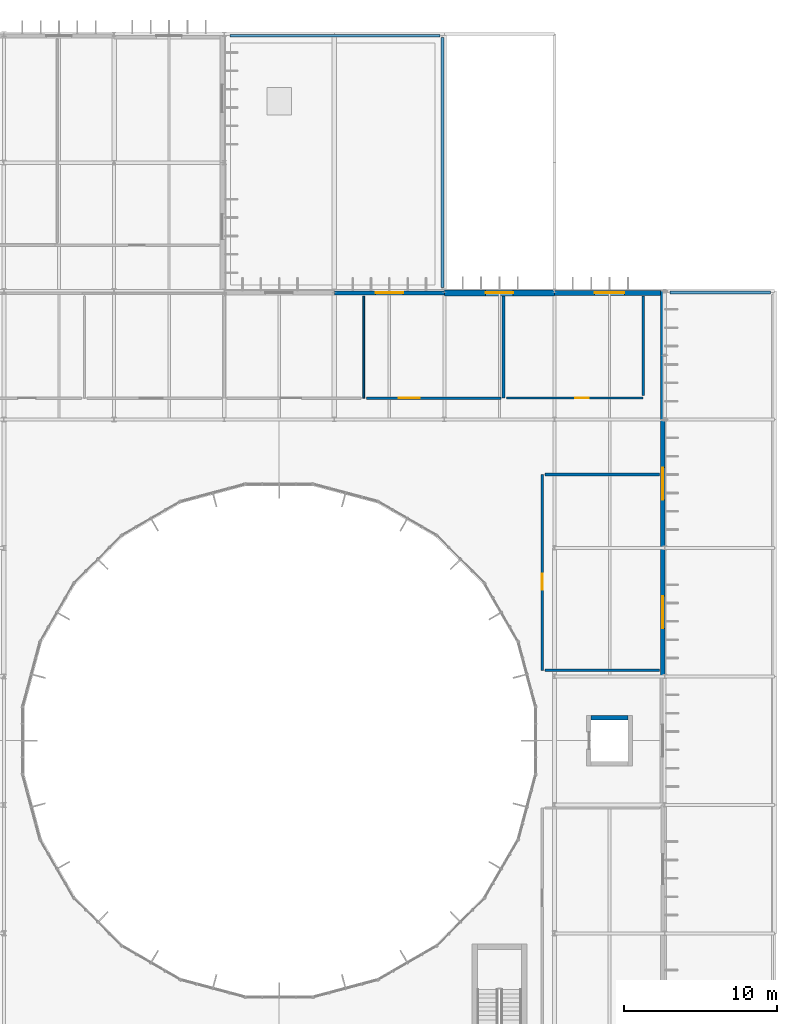
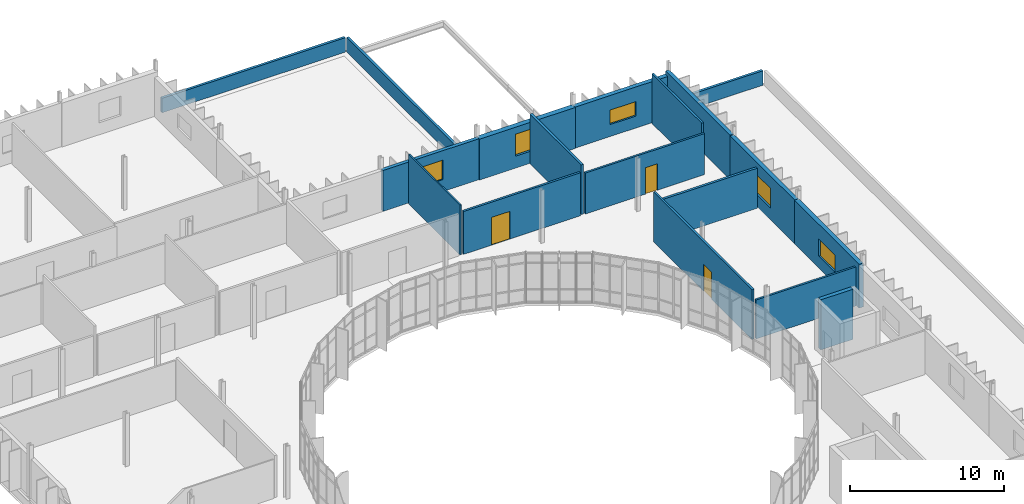
# One storey, part 84 of 99: 18 walls, 5 windows, 3 doors, 8 openings.
"""IFC4 building model written with IfcOpenShell, lengths in metres."""

from ifc_helpers import new_model, si_unit, direction, frame, frame_2d, origin, place, context, subcontext, project, spatial, rectangle, extrude, material, layer, layer_set, type_object, element, fill, save


model = new_model("IFC4")

# Units and contexts
model_context = context("Model", 3, precision=1e-05, world=origin(), true_north=direction((0.0, 1.0)))
body_context = subcontext(model_context, "Body", "Model", "MODEL_VIEW")
ifc_project = project(units=[si_unit("LENGTHUNIT", "METRE"), si_unit("AREAUNIT", "SQUARE_METRE"), si_unit("VOLUMEUNIT", "CUBIC_METRE"), si_unit("PLANEANGLEUNIT", "RADIAN"), si_unit("MASSUNIT", "GRAM", prefix="KILO")], contexts=[model_context])

# Site, building, storey
site_placement = place(None, origin())
site = spatial("IfcSite", under=ifc_project, at=site_placement, CompositionType="ELEMENT")
building_placement = place(site_placement, origin())
building = spatial("IfcBuilding", under=site, at=building_placement, Name="Qelthora Terrace Specialist Clinic", CompositionType="ELEMENT")
storey_placement = place(building_placement, frame((0.0, 0.0, 9.0)))
storey = spatial("IfcBuildingStorey", under=building, at=storey_placement, Name="L02", CompositionType="ELEMENT", Elevation=9.0)

# Wall
ifc_material_1 = material(Name="Concrete C40/50", Category="concrete")
ifc_layer_1 = layer(ifc_material_1, 0.300048828125)
ifc_layer_set_1 = layer_set([ifc_layer_1], Name="Concrete C40/50")
wall_type_1 = type_object("IfcWallType", Name="WAL-CORE-300-C40", PredefinedType="SHEAR", material=ifc_layer_set_1)
wall_1_placement = place(storey_placement, frame((146.39990234375, 64.5, 0.0), z_axis=(0.0, 0.0, 1.0), x_axis=(1.0, 0.0, 0.0)))
element("IfcWall", 1, at=wall_1_placement, inside=storey, type_object=wall_type_1, Name="Lift PL-02 L02 north shaft wall", PredefinedType="SHEAR", context=body_context, shape_type="SweptSolid", body=[
    extrude(rectangle(XDim=2.400146484375, YDim=0.300048828125, at=frame_2d((1.2001953125, 0.0))), origin(), (0.0, 0.0, 1.0), 3.97509765625),
])

# Wall, opening, window
ifc_material_2 = material(Name="Precast concrete C40/50", Category="concrete")
ifc_layer_2 = layer(ifc_material_2, 0.260009765625)
ifc_layer_set_2 = layer_set([ifc_layer_2], Name="Precast concrete C40/50")
wall_type_2 = type_object("IfcWallType", Name="WAL-EXT-260-PC40", PredefinedType="SOLIDWALL", material=ifc_layer_set_2)
wall_2_placement = place(storey_placement, frame((129.60009765625, 92.280029296875, 0.0), z_axis=(0.0, 0.0, 1.0), x_axis=(1.0, 0.0, 0.0)))
wall_2 = element("IfcWall", 2, at=wall_2_placement, inside=storey, type_object=wall_type_2, Name="L02 external precast wall 249", PredefinedType="SOLIDWALL", context=body_context, shape_type="SweptSolid", body=[
    extrude(rectangle(XDim=7.199951171875, YDim=0.260009765625, at=frame_2d((3.60009765625, 0.0))), origin(), (0.0, 0.0, 1.0), 3.2490234375),
])
opening_1_placement = place(wall_2_placement, frame((2.699951171875, 0.0, 0.949951171875)))
opening_1 = element("IfcOpeningElement", 3, at=opening_1_placement, cuts=wall_2, Name="Opening WN-L02-215", PredefinedType="OPENING", context=body_context, shape_type="SweptSolid", body=[
    extrude(rectangle(XDim=1.800048828125, YDim=1.550048828125, at=frame_2d((0.89990234375, 0.77490234375))), frame((0.0, 0.139892578125, 0.0), z_axis=(0.0, -1.0, 0.0), x_axis=(1.0, 0.0, 0.0)), (0.0, 0.0, 1.0), 0.280029296875),
])
ifc_material_3 = material(Name="Low-E triple-silver insulating glass", Category="glass")
window_type_1 = type_object("IfcWindowType", Name="WIN-1800X1550", PartitioningType="DOUBLE_PANEL_VERTICAL", PredefinedType="WINDOW", material=ifc_material_3)
window_1_placement = place(opening_1_placement, origin())
window_1 = element("IfcWindow", 4, at=window_1_placement, inside=storey, type_object=window_type_1, Name="Clinical window WN-L02-215", OverallHeight=1.550048828125, OverallWidth=1.800048828125, PartitioningType="SINGLE_PANEL", PredefinedType="WINDOW", context=body_context, shape_type="SweptSolid", body=[
    extrude(rectangle(XDim=1.800048828125, YDim=1.550048828125, at=frame_2d((0.89990234375, 0.77490234375))), frame((0.0, 0.030029296875, 0.0), z_axis=(0.0, -1.0, 0.0), x_axis=(1.0, 0.0, 0.0)), (0.0, 0.0, 1.0), 0.06005859375),
])
fill(opening_1, window_1)

# Wall
ifc_layer_3 = layer(ifc_material_2, 0.280029296875)
ifc_layer_set_3 = layer_set([ifc_layer_3], Name="Precast concrete C40/50")
wall_type_3 = type_object("IfcWallType", Name="WAL-EXT-280-PC40", PredefinedType="SOLIDWALL", material=ifc_layer_set_3)
wall_3_placement = place(storey_placement, frame((151.080078125, 84.0, 0.0), z_axis=(0.0, 0.0, 1.0), x_axis=(0.0, 1.0, 0.0)))
element("IfcWall", 5, at=wall_3_placement, inside=storey, type_object=wall_type_3, Name="L02 external precast wall 258", PredefinedType="SOLIDWALL", context=body_context, shape_type="SweptSolid", body=[
    extrude(rectangle(XDim=8.39990234375, YDim=0.280029296875, at=frame_2d((4.199951171875, 0.0))), origin(), (0.0, 0.0, 1.0), 3.529052734375),
])

# Wall, opening, window
ifc_layer_4 = layer(ifc_material_2, 0.300048828125)
ifc_layer_set_4 = layer_set([ifc_layer_4], Name="Precast concrete C40/50")
wall_type_4 = type_object("IfcWallType", Name="WAL-EXT-300-PC40", PredefinedType="SOLIDWALL", material=ifc_layer_set_4)
wall_4_placement = place(storey_placement, frame((151.080078125, 75.60009765625, 0.0), z_axis=(0.0, 0.0, 1.0), x_axis=(0.0, 1.0, 0.0)))
wall_4 = element("IfcWall", 6, at=wall_4_placement, inside=storey, type_object=wall_type_4, Name="L02 external precast wall 257", PredefinedType="SOLIDWALL", context=body_context, shape_type="SweptSolid", body=[
    extrude(rectangle(XDim=8.39990234375, YDim=0.300048828125, at=frame_2d((4.199951171875, 0.0))), origin(), (0.0, 0.0, 1.0), 3.48193359375),
])
opening_2_placement = place(wall_4_placement, frame((3.14990234375, 0.0, 0.949951171875)))
opening_2 = element("IfcOpeningElement", 7, at=opening_2_placement, cuts=wall_4, Name="Opening WN-L02-223", PredefinedType="OPENING", context=body_context, shape_type="SweptSolid", body=[
    extrude(rectangle(XDim=2.10009765625, YDim=1.550048828125, at=frame_2d((1.050048828125, 0.77490234375))), frame((0.0, 0.159912109375, 0.0), z_axis=(0.0, -1.0, 0.0), x_axis=(1.0, 0.0, 0.0)), (0.0, 0.0, 1.0), 0.320068359375),
])
window_type_2 = type_object("IfcWindowType", Name="WIN-2100X1550", PartitioningType="DOUBLE_PANEL_VERTICAL", PredefinedType="WINDOW", material=ifc_material_3)
window_2_placement = place(opening_2_placement, origin())
window_2 = element("IfcWindow", 8, at=window_2_placement, inside=storey, type_object=window_type_2, Name="Clinical window WN-L02-223", OverallHeight=1.550048828125, OverallWidth=2.10009765625, PartitioningType="SINGLE_PANEL", PredefinedType="WINDOW", context=body_context, shape_type="SweptSolid", body=[
    extrude(rectangle(XDim=2.10009765625, YDim=1.550048828125, at=frame_2d((1.050048828125, 0.77490234375))), frame((0.0, 0.030029296875, 0.0), z_axis=(0.0, -1.0, 0.0), x_axis=(1.0, 0.0, 0.0)), (0.0, 0.0, 1.0), 0.06005859375),
])
fill(opening_2, window_2)

ifc_layer_5 = layer(ifc_material_2, 0.320068359375)
ifc_layer_set_5 = layer_set([ifc_layer_5], Name="Precast concrete C40/50")
wall_type_5 = type_object("IfcWallType", Name="WAL-EXT-320-PC40", PredefinedType="SOLIDWALL", material=ifc_layer_set_5)
wall_5_placement = place(storey_placement, frame((144.0, 92.280029296875, 0.0), z_axis=(0.0, 0.0, 1.0), x_axis=(1.0, 0.0, 0.0)))
wall_5 = element("IfcWall", 9, at=wall_5_placement, inside=storey, type_object=wall_type_5, Name="L02 external precast wall 251", PredefinedType="SOLIDWALL", context=body_context, shape_type="SweptSolid", body=[
    extrude(rectangle(XDim=7.199951171875, YDim=0.320068359375, at=frame_2d((3.60009765625, 0.0))), origin(), (0.0, 0.0, 1.0), 3.25390625),
])
opening_3_placement = place(wall_5_placement, frame((2.625, 0.0, 0.949951171875)))
opening_3 = element("IfcOpeningElement", 10, at=opening_3_placement, cuts=wall_5, Name="Opening WN-L02-217", PredefinedType="OPENING", context=body_context, shape_type="SweptSolid", body=[
    extrude(rectangle(XDim=1.949951171875, YDim=1.14990234375, at=frame_2d((0.97509765625, 0.574951171875))), frame((0.0, 0.169921875, 0.0), z_axis=(0.0, -1.0, 0.0), x_axis=(1.0, 0.0, 0.0)), (0.0, 0.0, 1.0), 0.340087890625),
])
window_type_3 = type_object("IfcWindowType", Name="WIN-1950X1150", PartitioningType="DOUBLE_PANEL_VERTICAL", PredefinedType="WINDOW", material=ifc_material_3)
window_3_placement = place(opening_3_placement, origin())
window_3 = element("IfcWindow", 11, at=window_3_placement, inside=storey, type_object=window_type_3, Name="Clinical window WN-L02-217", OverallHeight=1.14990234375, OverallWidth=1.949951171875, PartitioningType="SINGLE_PANEL", PredefinedType="WINDOW", context=body_context, shape_type="SweptSolid", body=[
    extrude(rectangle(XDim=1.949951171875, YDim=1.14990234375, at=frame_2d((0.97509765625, 0.574951171875))), frame((0.0, 0.030029296875, 0.0), z_axis=(0.0, -1.0, 0.0), x_axis=(1.0, 0.0, 0.0)), (0.0, 0.0, 1.0), 0.06005859375),
])
fill(opening_3, window_3)

wall_6_placement = place(storey_placement, frame((151.080078125, 67.199951171875, 0.0), z_axis=(0.0, 0.0, 1.0), x_axis=(0.0, 1.0, 0.0)))
wall_6 = element("IfcWall", 12, at=wall_6_placement, inside=storey, type_object=wall_type_5, Name="L02 external precast wall 256", PredefinedType="SOLIDWALL", context=body_context, shape_type="SweptSolid", body=[
    extrude(rectangle(XDim=8.400146484375, YDim=0.320068359375, at=frame_2d((4.2001953125, 0.0))), origin(), (0.0, 0.0, 1.0), 3.47607421875),
])
opening_4_placement = place(wall_6_placement, frame((3.14990234375, 0.0, 0.949951171875)))
opening_4 = element("IfcOpeningElement", 13, at=opening_4_placement, cuts=wall_6, Name="Opening WN-L02-222", PredefinedType="OPENING", context=body_context, shape_type="SweptSolid", body=[
    extrude(rectangle(XDim=2.10009765625, YDim=1.35009765625, at=frame_2d((1.050048828125, 0.675048828125))), frame((0.0, 0.169921875, 0.0), z_axis=(0.0, -1.0, 0.0), x_axis=(1.0, 0.0, 0.0)), (0.0, 0.0, 1.0), 0.340087890625),
])
window_type_4 = type_object("IfcWindowType", Name="WIN-2100X1350", PartitioningType="DOUBLE_PANEL_VERTICAL", PredefinedType="WINDOW", material=ifc_material_3)
window_4_placement = place(opening_4_placement, origin())
window_4 = element("IfcWindow", 14, at=window_4_placement, inside=storey, type_object=window_type_4, Name="Clinical window WN-L02-222", OverallHeight=1.35009765625, OverallWidth=2.10009765625, PartitioningType="SINGLE_PANEL", PredefinedType="WINDOW", context=body_context, shape_type="SweptSolid", body=[
    extrude(rectangle(XDim=2.10009765625, YDim=1.35009765625, at=frame_2d((1.050048828125, 0.675048828125))), frame((0.0, 0.030029296875, 0.0), z_axis=(0.0, -1.0, 0.0), x_axis=(1.0, 0.0, 0.0)), (0.0, 0.0, 1.0), 0.06005859375),
])
fill(opening_4, window_4)

ifc_layer_6 = layer(ifc_material_2, 0.3798828125)
ifc_layer_set_6 = layer_set([ifc_layer_6], Name="Precast concrete C40/50")
wall_type_6 = type_object("IfcWallType", Name="WAL-EXT-380-PC40", PredefinedType="SOLIDWALL", material=ifc_layer_set_6)
wall_7_placement = place(storey_placement, frame((136.800048828125, 92.280029296875, 0.0), z_axis=(0.0, 0.0, 1.0), x_axis=(1.0, 0.0, 0.0)))
wall_7 = element("IfcWall", 15, at=wall_7_placement, inside=storey, type_object=wall_type_6, Name="L02 external precast wall 250", PredefinedType="SOLIDWALL", context=body_context, shape_type="SweptSolid", body=[
    extrude(rectangle(XDim=7.199951171875, YDim=0.3798828125, at=frame_2d((3.60009765625, 0.0))), origin(), (0.0, 0.0, 1.0), 3.2490234375),
])
opening_5_placement = place(wall_7_placement, frame((2.699951171875, 0.0, 0.949951171875)))
opening_5 = element("IfcOpeningElement", 16, at=opening_5_placement, cuts=wall_7, Name="Opening WN-L02-216", PredefinedType="OPENING", context=body_context, shape_type="SweptSolid", body=[
    extrude(rectangle(XDim=1.800048828125, YDim=1.75, at=frame_2d((0.89990234375, 0.875))), frame((0.0, 0.199951171875, 0.0), z_axis=(0.0, -1.0, 0.0), x_axis=(1.0, 0.0, 0.0)), (0.0, 0.0, 1.0), 0.39990234375),
])
window_type_5 = type_object("IfcWindowType", Name="WIN-1800X1750", PartitioningType="DOUBLE_PANEL_VERTICAL", PredefinedType="WINDOW", material=ifc_material_3)
window_5_placement = place(opening_5_placement, origin())
window_5 = element("IfcWindow", 17, at=window_5_placement, inside=storey, type_object=window_type_5, Name="Clinical window WN-L02-216", OverallHeight=1.75, OverallWidth=1.800048828125, PartitioningType="SINGLE_PANEL", PredefinedType="WINDOW", context=body_context, shape_type="SweptSolid", body=[
    extrude(rectangle(XDim=1.800048828125, YDim=1.75, at=frame_2d((0.89990234375, 0.875))), frame((0.0, 0.030029296875, 0.0), z_axis=(0.0, -1.0, 0.0), x_axis=(1.0, 0.0, 0.0)), (0.0, 0.0, 1.0), 0.06005859375),
])
fill(opening_5, window_5)

# Walls
ifc_material_4 = material(Name="Gypsum fire-rated wallboard", Category="gypsum")
ifc_layer_7 = layer(ifc_material_4, 0.179931640625)
ifc_layer_set_7 = layer_set([ifc_layer_7], Name="Gypsum fire-rated wallboard")
wall_type_7 = type_object("IfcWallType", Name="WAL-INT-CLN-180", PredefinedType="PARTITIONING", material=ifc_layer_set_7)
wall_8_placement = place(storey_placement, frame((140.666748046875, 92.06005859375, 0.0), z_axis=(0.0, 0.0, 1.0), x_axis=(0.0, -1.0, 0.0)))
element("IfcWall", 18, at=wall_8_placement, inside=storey, type_object=wall_type_7, Name="Interior clinical partition IWAL-L02-0274", PredefinedType="PARTITIONING", context=body_context, shape_type="SweptSolid", body=[
    extrude(rectangle(XDim=6.66015625, YDim=0.179931640625, at=frame_2d((3.330078125, 0.0))), origin(), (0.0, 0.0, 1.0), 3.945068359375),
])
wall_9_placement = place(storey_placement, frame((143.3798828125, 80.39990234375, 0.0), z_axis=(0.0, 0.0, 1.0), x_axis=(1.0, 0.0, 0.0)))
element("IfcWall", 19, at=wall_9_placement, inside=storey, type_object=wall_type_7, Name="Interior clinical partition IWAL-L02-0289", PredefinedType="PARTITIONING", context=body_context, shape_type="SweptSolid", body=[
    extrude(rectangle(XDim=7.480224609375, YDim=0.179931640625, at=frame_2d((3.740234375, 0.0))), origin(), (0.0, 0.0, 1.0), 3.175048828125),
])

# Wall, opening, door
ifc_layer_8 = layer(ifc_material_4, 0.159912109375)
ifc_layer_set_8 = layer_set([ifc_layer_8], Name="Gypsum fire-rated wallboard")
wall_type_8 = type_object("IfcWallType", Name="WAL-INT-COR-160", PredefinedType="PARTITIONING", material=ifc_layer_set_8)
wall_10_placement = place(storey_placement, frame((140.48681640625, 85.39990234375, 0.0), z_axis=(0.0, 0.0, 1.0), x_axis=(-1.0, 0.0, 0.0)))
wall_10 = element("IfcWall", 20, at=wall_10_placement, inside=storey, type_object=wall_type_8, Name="Interior clinical partition IWAL-L02-0275", PredefinedType="PARTITIONING", context=body_context, shape_type="SweptSolid", body=[
    extrude(rectangle(XDim=8.7734375, YDim=0.159912109375, at=frame_2d((4.38671875, 0.0))), origin(), (0.0, 0.0, 1.0), 3.407958984375),
])
opening_6_placement = place(wall_10_placement, frame((5.28662109375, 0.0, 0.0)))
opening_6 = element("IfcOpeningElement", 21, at=opening_6_placement, cuts=wall_10, Name="Opening DI-L02-0110", PredefinedType="OPENING", context=body_context, shape_type="SweptSolid", body=[
    extrude(rectangle(XDim=1.39990234375, YDim=2.199951171875, at=frame_2d((0.699951171875, 1.10009765625))), frame((0.0, 0.08984375, 0.0), z_axis=(0.0, -1.0, 0.0), x_axis=(1.0, 0.0, 0.0)), (0.0, 0.0, 1.0), 0.179931640625),
])
ifc_material_5 = material(Name="Steel S355", Category="steel")
door_type_1 = type_object("IfcDoorType", Name="DOR-MRI-1400X2200", OperationType="NOTDEFINED", PredefinedType="DOOR", material=ifc_material_5)
door_1_placement = place(opening_6_placement, frame((1.39990234375, 0.0, 0.0), z_axis=(0.0, 0.0, 1.0), x_axis=(-1.0, 0.0, 0.0)))
door_1 = element("IfcDoor", 22, at=door_1_placement, inside=storey, type_object=door_type_1, Name="Interior clinical door DI-L02-0110", OperationType="SINGLE_SWING_LEFT", OverallHeight=2.199951171875, OverallWidth=1.39990234375, PredefinedType="DOOR", context=body_context, shape_type="SweptSolid", body=[
    extrude(rectangle(XDim=1.39990234375, YDim=2.199951171875, at=frame_2d((0.699951171875, 1.10009765625))), frame((0.0, 0.02490234375, 0.0), z_axis=(0.0, -1.0, 0.0), x_axis=(1.0, 0.0, 0.0)), (0.0, 0.0, 1.0), 0.050048828125),
])
fill(opening_6, door_1)

wall_11_placement = place(storey_placement, frame((143.199951171875, 67.60009765625, 0.0), z_axis=(0.0, 0.0, 1.0), x_axis=(0.0, 1.0, 0.0)))
wall_11 = element("IfcWall", 23, at=wall_11_placement, inside=storey, type_object=wall_type_8, Name="Interior clinical partition IWAL-L02-0288", PredefinedType="PARTITIONING", context=body_context, shape_type="SweptSolid", body=[
    extrude(rectangle(XDim=12.7998046875, YDim=0.159912109375, at=frame_2d((6.39990234375, 0.0))), origin(), (0.0, 0.0, 1.0), 3.945068359375),
])
opening_7_placement = place(wall_11_placement, frame((5.280029296875, 0.0, 0.0)))
opening_7 = element("IfcOpeningElement", 24, at=opening_7_placement, cuts=wall_11, Name="Opening DI-L02-0115", PredefinedType="OPENING", context=body_context, shape_type="SweptSolid", body=[
    extrude(rectangle(XDim=1.0400390625, YDim=2.14990234375, at=frame_2d((0.52001953125, 1.074951171875))), frame((0.0, 0.08984375, 0.0), z_axis=(0.0, -1.0, 0.0), x_axis=(1.0, 0.0, 0.0)), (0.0, 0.0, 1.0), 0.179931640625),
])
ifc_material_6 = material(Name="Glulam timber GL28h", Category="wood")
door_type_2 = type_object("IfcDoorType", Name="DOR-CON-1040X2150", OperationType="NOTDEFINED", PredefinedType="DOOR", material=ifc_material_6)
door_2_placement = place(opening_7_placement, frame((1.0400390625, 0.0, 0.0), z_axis=(0.0, 0.0, 1.0), x_axis=(-1.0, 0.0, 0.0)))
door_2 = element("IfcDoor", 25, at=door_2_placement, inside=storey, type_object=door_type_2, Name="Interior clinical door DI-L02-0115", OperationType="SINGLE_SWING_RIGHT", OverallHeight=2.14990234375, OverallWidth=1.0400390625, PredefinedType="DOOR", context=body_context, shape_type="SweptSolid", body=[
    extrude(rectangle(XDim=1.0400390625, YDim=2.14990234375, at=frame_2d((0.52001953125, 1.074951171875))), frame((0.0, 0.02490234375, 0.0), z_axis=(0.0, -1.0, 0.0), x_axis=(1.0, 0.0, 0.0)), (0.0, 0.0, 1.0), 0.050048828125),
])
fill(opening_7, door_2)

# Wall
ifc_layer_9 = layer(ifc_material_3, 0.110107421875)
ifc_layer_set_9 = layer_set([ifc_layer_9], Name="Low-E triple-silver insulating glass")
wall_type_9 = type_object("IfcWallType", Name="WAL-INT-GLA-110", PredefinedType="MOVABLE", material=ifc_layer_set_9)
wall_12_placement = place(storey_placement, frame((131.533203125, 92.06005859375, 0.0), z_axis=(0.0, 0.0, 1.0), x_axis=(0.0, -1.0, 0.0)))
element("IfcWall", 26, at=wall_12_placement, inside=storey, type_object=wall_type_9, Name="Interior clinical partition IWAL-L02-0272", PredefinedType="MOVABLE", context=body_context, shape_type="SweptSolid", body=[
    extrude(rectangle(XDim=6.66015625, YDim=0.110107421875, at=frame_2d((3.330078125, 0.0))), origin(), (0.0, 0.0, 1.0), 3.945068359375),
])

# Wall, opening, door
ifc_material_7 = material(Name="Gypsum moisture-resistant", Category="gypsum")
ifc_layer_10 = layer(ifc_material_7, 0.14990234375)
ifc_layer_set_10 = layer_set([ifc_layer_10], Name="Gypsum moisture-resistant")
wall_type_10 = type_object("IfcWallType", Name="WAL-INT-WET-150", PredefinedType="PLUMBINGWALL", material=ifc_layer_set_10)
wall_13_placement = place(storey_placement, frame((149.800048828125, 85.39990234375, 0.0), z_axis=(0.0, 0.0, 1.0), x_axis=(-1.0, 0.0, 0.0)))
wall_13 = element("IfcWall", 27, at=wall_13_placement, inside=storey, type_object=wall_type_10, Name="Interior clinical partition IWAL-L02-0276", PredefinedType="PLUMBINGWALL", context=body_context, shape_type="SweptSolid", body=[
    extrude(rectangle(XDim=8.953369140625, YDim=0.14990234375, at=frame_2d((4.4765625, 0.0))), origin(), (0.0, 0.0, 1.0), 3.251953125),
])
opening_8_placement = place(wall_13_placement, frame((3.556640625, 0.0, 0.0)))
opening_8 = element("IfcOpeningElement", 28, at=opening_8_placement, cuts=wall_13, Name="Opening DI-L02-0111", PredefinedType="OPENING", context=body_context, shape_type="SweptSolid", body=[
    extrude(rectangle(XDim=0.89990234375, YDim=2.10009765625, at=frame_2d((0.449951171875, 1.050048828125))), frame((0.0, 0.0849609375, 0.0), z_axis=(0.0, -1.0, 0.0), x_axis=(1.0, 0.0, 0.0)), (0.0, 0.0, 1.0), 0.169921875),
])
door_type_3 = type_object("IfcDoorType", Name="DOR-WC-900X2100", OperationType="NOTDEFINED", PredefinedType="DOOR", material=ifc_material_6)
door_3_placement = place(opening_8_placement, frame((0.89990234375, 0.0, 0.0), z_axis=(0.0, 0.0, 1.0), x_axis=(-1.0, 0.0, 0.0)))
door_3 = element("IfcDoor", 29, at=door_3_placement, inside=storey, type_object=door_type_3, Name="Interior clinical door DI-L02-0111", OperationType="SINGLE_SWING_RIGHT", OverallHeight=2.10009765625, OverallWidth=0.89990234375, PredefinedType="DOOR", context=body_context, shape_type="SweptSolid", body=[
    extrude(rectangle(XDim=0.89990234375, YDim=2.10009765625, at=frame_2d((0.449951171875, 1.050048828125))), frame((0.0, 0.02490234375, 0.0), z_axis=(0.0, -1.0, 0.0), x_axis=(1.0, 0.0, 0.0)), (0.0, 0.0, 1.0), 0.050048828125),
])
fill(opening_8, door_3)

# Walls
wall_14_placement = place(storey_placement, frame((149.800048828125, 92.06005859375, 0.0), z_axis=(0.0, 0.0, 1.0), x_axis=(0.0, -1.0, 0.0)))
element("IfcWall", 30, at=wall_14_placement, inside=storey, type_object=wall_type_10, Name="Interior clinical partition IWAL-L02-0277", PredefinedType="PLUMBINGWALL", context=body_context, shape_type="SweptSolid", body=[
    extrude(rectangle(XDim=6.47998046875, YDim=0.14990234375, at=frame_2d((3.239990234375, 0.0))), origin(), (0.0, 0.0, 1.0), 3.945068359375),
])
wall_15_placement = place(storey_placement, frame((150.860107421875, 67.60009765625, 0.0), z_axis=(0.0, 0.0, 1.0), x_axis=(-1.0, 0.0, 0.0)))
element("IfcWall", 31, at=wall_15_placement, inside=storey, type_object=wall_type_10, Name="Interior clinical partition IWAL-L02-0290", PredefinedType="PLUMBINGWALL", context=body_context, shape_type="SweptSolid", body=[
    extrude(rectangle(XDim=7.480224609375, YDim=0.14990234375, at=frame_2d((3.740234375, 0.0))), origin(), (0.0, 0.0, 1.0), 3.093994140625),
])
ifc_layer_11 = layer(ifc_material_2, 0.18994140625)
ifc_layer_set_11 = layer_set([ifc_layer_11], Name="Precast concrete C40/50")
wall_type_11 = type_object("IfcWallType", Name="WAL-PAR-190-PC40", PredefinedType="PARAPET", material=ifc_layer_set_11)
wall_16_placement = place(storey_placement, frame((136.68994140625, 108.97998046875, 0.0), z_axis=(0.0, 0.0, 1.0), x_axis=(0.0, -1.0, 0.0)))
element("IfcWall", 32, at=wall_16_placement, inside=storey, type_object=wall_type_11, Name="Roof perimeter parapet ROOF-V6-STP2-1-1", PredefinedType="PARAPET", context=body_context, shape_type="SweptSolid", body=[
    extrude(rectangle(XDim=16.346923828125, YDim=0.18994140625, at=frame_2d((8.17333984375, 0.0))), origin(), (0.0, 0.0, 1.0), 1.14990234375),
])
wall_17_placement = place(storey_placement, frame((122.76953125, 109.090087890625, 0.0), z_axis=(0.0, 0.0, 1.0), x_axis=(1.0, 0.0, 0.0)))
element("IfcWall", 33, at=wall_17_placement, inside=storey, type_object=wall_type_11, Name="Roof perimeter parapet ROOF-V6-STP2-1-2", PredefinedType="PARAPET", context=body_context, shape_type="SweptSolid", body=[
    extrude(rectangle(XDim=13.75341796875, YDim=0.18994140625, at=frame_2d((6.876708984375, 0.0))), origin(), (0.0, 0.0, 1.0), 1.14990234375),
])
wall_18_placement = place(storey_placement, frame((151.53955078125, 92.2900390625, 0.0), z_axis=(0.0, 0.0, 1.0), x_axis=(1.0, 0.0, 0.0)))
element("IfcWall", 34, at=wall_18_placement, inside=storey, type_object=wall_type_11, Name="Roof perimeter parapet ROOF-V4-STP2-1-3", PredefinedType="PARAPET", context=body_context, shape_type="SweptSolid", body=[
    extrude(rectangle(XDim=6.58349609375, YDim=0.18994140625, at=frame_2d((3.291748046875, 0.0))), origin(), (0.0, 0.0, 1.0), 1.14990234375),
])

save(model, "model.ifc")
